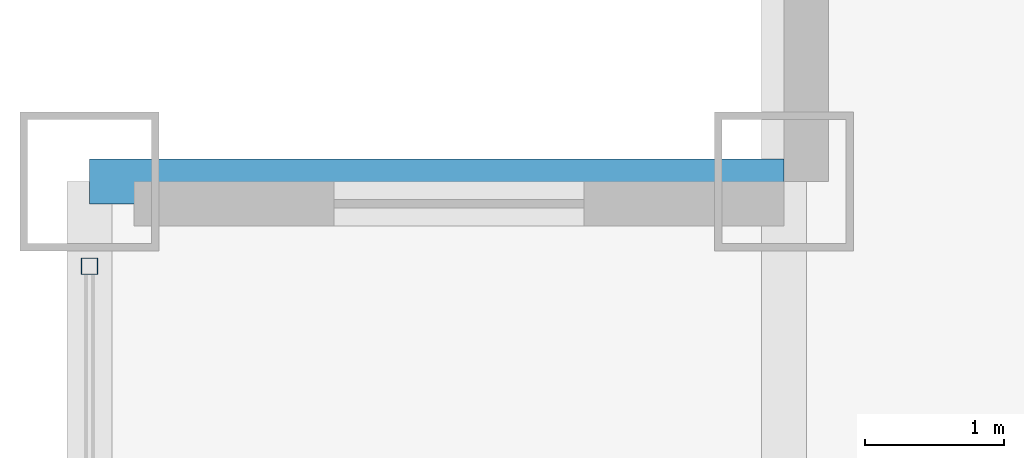
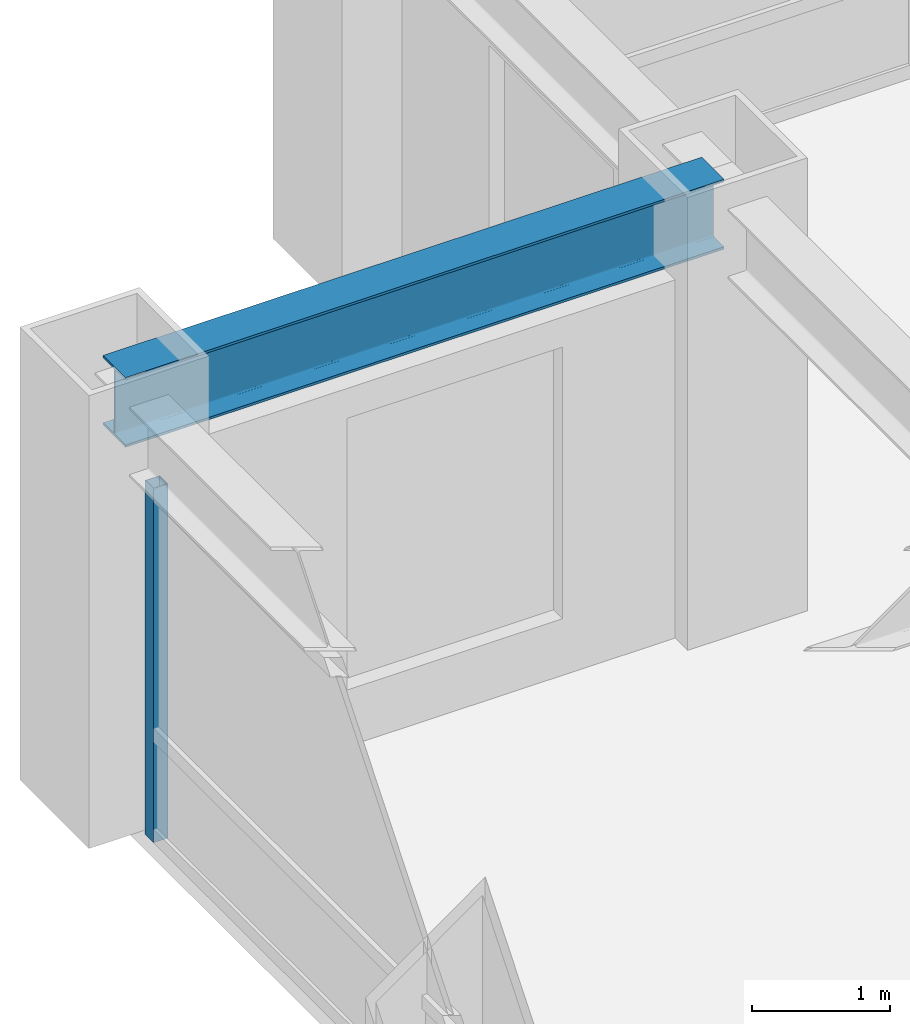
# One storey, part 12 of 29: 1 beam, 1 member, 1 element without a shape of its own.
"""IFC4 building model written with IfcOpenShell, lengths in metres."""

from ifc_helpers import new_model, si_unit, direction, frame, origin, origin_2d, place, context, subcontext, project, spatial, hollow_rectangle, i_section, extrude, source, transform, mapped, material, material_profile, profile_set, type_object, element, aggregate, save


model = new_model("IFC4")

# Units and contexts
model_context = context("Model", 3, precision=1e-05, world=origin(), true_north=direction((0.0, 1.0)))
body_context = subcontext(model_context, "Body", "Model", "MODEL_VIEW")
ifc_project = project(units=[si_unit("LENGTHUNIT", "METRE"), si_unit("AREAUNIT", "SQUARE_METRE"), si_unit("VOLUMEUNIT", "CUBIC_METRE"), si_unit("PLANEANGLEUNIT", "RADIAN"), si_unit("MASSUNIT", "GRAM", prefix="KILO")], contexts=[model_context])

# Site, building, storey
site_placement = place(None, origin())
site = spatial("IfcSite", under=ifc_project, at=site_placement, CompositionType="ELEMENT")
building_placement = place(site_placement, origin())
building = spatial("IfcBuilding", under=site, at=building_placement, Name="Khorayat Bourse Tower", CompositionType="ELEMENT")
storey_placement = place(building_placement, frame((0.0, 0.0, 239.10009765625)))
storey = spatial("IfcBuildingStorey", under=building, at=storey_placement, Name="L56", CompositionType="ELEMENT", Elevation=239.10009765625)

# Beam
ifc_material_1 = material(Name="Steel ASTM A992 Grade 50", Category="steel")
ifc_material_profile_1 = material_profile(ifc_material_1, i_section(OverallWidth=0.324951171875, OverallDepth=0.615966796875, WebThickness=0.013916015625, FlangeThickness=0.021484375, FilletRadius=0.01611328125, at=origin_2d()), Name="W610X174")
ifc_profile_set_1 = profile_set([ifc_material_profile_1], Name="Steel ASTM A992 Grade 50")
beam_type = type_object("IfcBeamType", Name="BM-SPAN-610", PredefinedType="SPANDREL", material=ifc_profile_set_1)
shared_shape_1 = source(origin(), body_context, "Body", "SweptSolid", [
    extrude(i_section(OverallWidth=0.324951171875, OverallDepth=0.615966796875, WebThickness=0.013916015625, FlangeThickness=0.021484375, FilletRadius=0.01611328125, at=origin_2d()), origin(), (0.0, 0.0, 1.0), 5.0),
])
beam_placement = place(storey_placement, frame((-30.0, 25.0, 3.471923828125), z_axis=(1.0, 0.0, 0.0), x_axis=(0.0, 1.0, 0.0)))
element("IfcBeam", 1, at=beam_placement, inside=storey, type_object=beam_type, Name="L56 BM-SPAN-610 BM-L56-SPN-053", PredefinedType="SPANDREL", context=body_context, shape_type="MappedRepresentation", body=[
    mapped(shared_shape_1, transform((0.0, 0.0, 0.0), scale=1.0)),
])

# Curtain wall, member
ifc_material_2 = material(Name="Aluminium EN AW-6063 T6", Category="aluminium")
curtain_wall_type = type_object("IfcCurtainWallType", Name="CW-SYS-03", PredefinedType="NOTDEFINED", material=ifc_material_2)
curtain_wall_placement = place(storey_placement, origin())
curtain_wall = element("IfcCurtainWall", 2, at=curtain_wall_placement, inside=storey, type_object=curtain_wall_type, Name="L56 Curtain Wall CW-L56-W1", PredefinedType="NOTDEFINED")
ifc_material_profile_2 = material_profile(ifc_material_2, hollow_rectangle(XDim=0.1201171875, YDim=0.1201171875, WallThickness=0.0048828125, at=origin_2d()), Name="ALU 120x120x5")
ifc_profile_set_2 = profile_set([ifc_material_profile_2], Name="Aluminium EN AW-6063 T6")
member_type = type_object("IfcMemberType", Name="CWM-VERT-120", PredefinedType="MULLION", material=ifc_profile_set_2)
shared_shape_2 = source(origin(), body_context, "Body", "SweptSolid", [
    extrude(hollow_rectangle(XDim=0.1201171875, YDim=0.1201171875, WallThickness=0.0048828125, at=origin_2d()), origin(), (0.0, 0.0, 1.0), 3.1298828125),
])
member_placement = place(storey_placement, frame((-30.0, 24.389892578125, 0.0), z_axis=(0.0, 0.0, 1.0), x_axis=(-1.0, 0.0, 0.0)))
member = element("IfcMember", 3, at=member_placement, type_object=member_type, Name="CW-L56-W1 Vertical Mullion 3", PredefinedType="MULLION", context=body_context, shape_type="MappedRepresentation", body=[
    mapped(shared_shape_2, transform((0.0, 0.0, 0.0), scale=1.0)),
])
aggregate(curtain_wall, [member])

save(model, "model.ifc")
